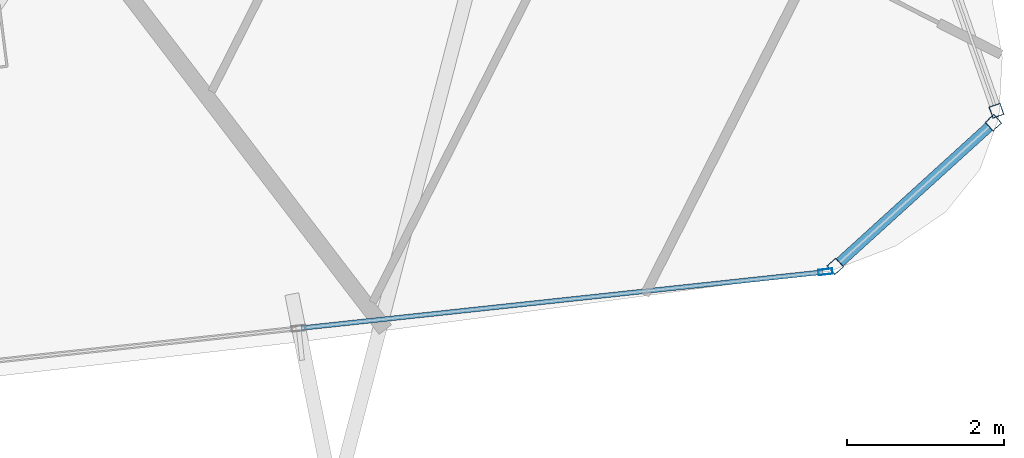
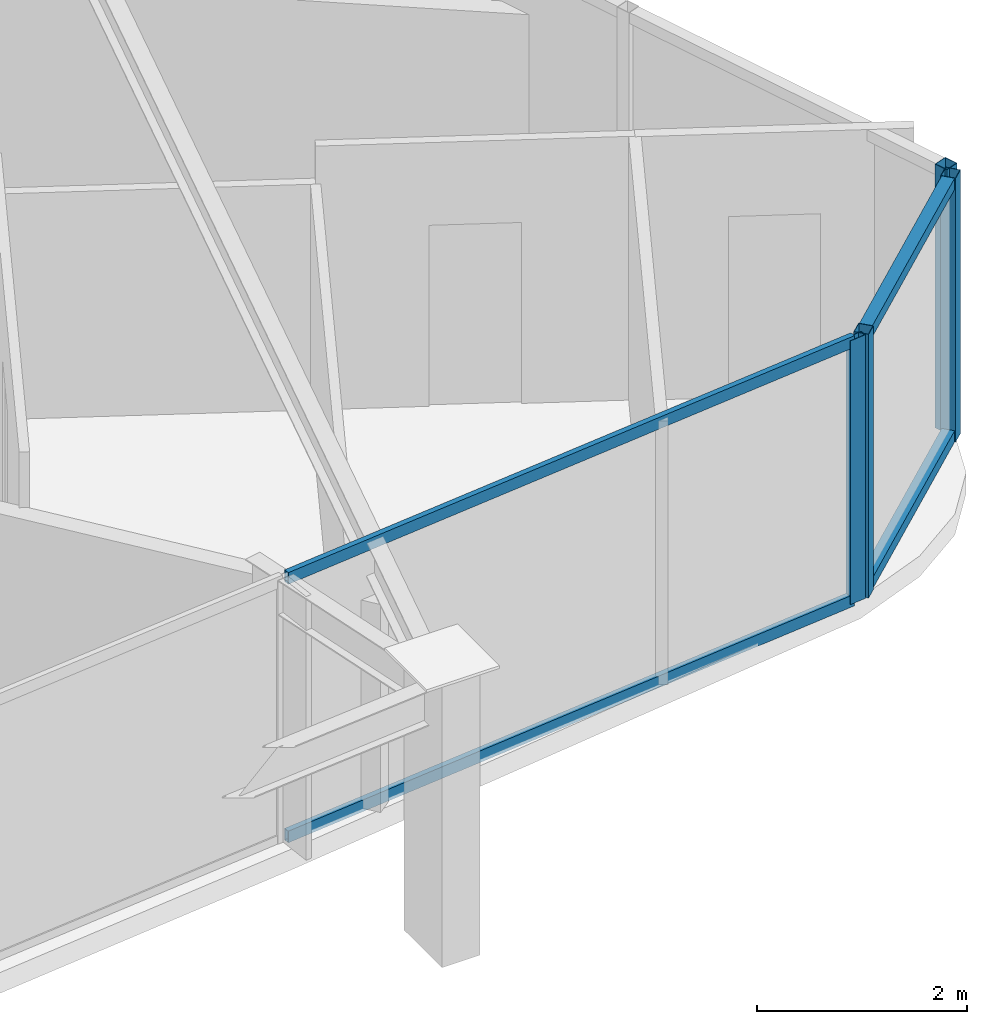
# One storey, part 15 of 35: 8 members, 3 elements without a shape of their own.
"""IFC4 building model written with IfcOpenShell, lengths in metres."""

from ifc_helpers import new_model, si_unit, direction, frame, origin, origin_2d, place, context, subcontext, project, spatial, hollow_rectangle, extrude, material, layer, layer_set, material_profile, profile_set, type_object, element, aggregate, save


model = new_model("IFC4")

# Units and contexts
model_context = context("Model", 3, precision=1e-05, world=origin(), true_north=direction((0.0, 1.0)))
body_context = subcontext(model_context, "Body", "Model", "MODEL_VIEW")
ifc_project = project(units=[si_unit("LENGTHUNIT", "METRE"), si_unit("AREAUNIT", "SQUARE_METRE"), si_unit("VOLUMEUNIT", "CUBIC_METRE"), si_unit("PLANEANGLEUNIT", "RADIAN"), si_unit("MASSUNIT", "GRAM", prefix="KILO")], contexts=[model_context])

# Site, building, storey
site_placement = place(None, origin())
site = spatial("IfcSite", under=ifc_project, at=site_placement, CompositionType="ELEMENT")
building_placement = place(site_placement, origin())
building = spatial("IfcBuilding", under=site, at=building_placement, Name="Orvanel Arch Residences", CompositionType="ELEMENT")
storey_placement = place(building_placement, frame((0.0, 0.0, 30.199951171875)))
storey = spatial("IfcBuildingStorey", under=building, at=storey_placement, Name="L07", CompositionType="ELEMENT", Elevation=30.199951171875)

# Curtain wall, members
ifc_material = material(Name="Bronze-anodised aluminium AA6063-T6", Category="aluminium")
ifc_layer_1 = layer(ifc_material, 0.18994140625)
ifc_layer_set_1 = layer_set([ifc_layer_1], Name="Bronze-anodised aluminium AA6063-T6")
curtain_wall_type_1 = type_object("IfcCurtainWallType", Name="CW5-CRN-SYS", PredefinedType="NOTDEFINED", material=ifc_layer_set_1)
curtain_wall_1_placement = place(storey_placement, origin())
curtain_wall_1 = element("IfcCurtainWall", 1, at=curtain_wall_1_placement, inside=storey, type_object=curtain_wall_type_1, Name="L07 CW5-CRN-SYS Unitised Curtain Wall", PredefinedType="NOTDEFINED")
ifc_material_profile_1 = material_profile(ifc_material, hollow_rectangle(XDim=0.14990234375, YDim=0.14990234375, WallThickness=0.0048828125, at=origin_2d()), Name="ALU150x150x5")
ifc_profile_set_1 = profile_set([ifc_material_profile_1], Name="Bronze-anodised aluminium AA6063-T6")
member_type_1 = type_object("IfcMemberType", Name="MUL-150x150", PredefinedType="MULLION", material=ifc_profile_set_1)
member_1_placement = place(storey_placement, frame((60.047607421875, 3.4384765625, 0.0), z_axis=(0.0, 0.0, 1.0), x_axis=(-0.672446964685, 0.740145309845, 0.0)))
member_1 = element("IfcMember", 2, at=member_1_placement, type_object=member_type_1, Name="CW-S5 mullion 1", PredefinedType="MULLION", context=body_context, shape_type="SweptSolid", body=[
    extrude(hollow_rectangle(XDim=0.14990234375, YDim=0.14990234375, WallThickness=0.0048828125, at=origin_2d()), origin(), (0.0, 0.0, 1.0), 3.06005859375),
])
member_2_placement = place(storey_placement, frame((62.057373046875, 5.2646484375, 0.0), z_axis=(0.0, 0.0, 1.0), x_axis=(-0.672446964685, 0.740145309845, 0.0)))
member_2 = element("IfcMember", 3, at=member_2_placement, type_object=member_type_1, Name="CW-S5 mullion 2", PredefinedType="MULLION", context=body_context, shape_type="SweptSolid", body=[
    extrude(hollow_rectangle(XDim=0.14990234375, YDim=0.14990234375, WallThickness=0.0048828125, at=origin_2d()), origin(), (0.0, 0.0, 1.0), 3.06005859375),
])

# Curtain wall, member
curtain_wall_2_placement = place(storey_placement, origin())
curtain_wall_2 = element("IfcCurtainWall", 4, at=curtain_wall_2_placement, inside=storey, type_object=curtain_wall_type_1, Name="L07 CW5-CRN-SYS Unitised Curtain Wall", PredefinedType="NOTDEFINED")
member_3_placement = place(storey_placement, frame((62.09619140625, 5.417724609375, 0.0), z_axis=(0.0, 0.0, 1.0), x_axis=(-0.943915900726, -0.330185966322, 0.0)))
member_3 = element("IfcMember", 5, at=member_3_placement, type_object=member_type_1, Name="CW-S5 mullion 1", PredefinedType="MULLION", context=body_context, shape_type="SweptSolid", body=[
    extrude(hollow_rectangle(XDim=0.14990234375, YDim=0.14990234375, WallThickness=0.0048828125, at=origin_2d()), origin(), (0.0, 0.0, 1.0), 3.06005859375),
])
aggregate(curtain_wall_2, [member_3])

ifc_layer_2 = layer(ifc_material, 0.179931640625)
ifc_layer_set_2 = layer_set([ifc_layer_2], Name="Bronze-anodised aluminium AA6063-T6")
curtain_wall_type_2 = type_object("IfcCurtainWallType", Name="CW2-LOW-SYS", PredefinedType="NOTDEFINED", material=ifc_layer_set_2)
curtain_wall_3_placement = place(storey_placement, origin())
curtain_wall_3 = element("IfcCurtainWall", 6, at=curtain_wall_3_placement, inside=storey, type_object=curtain_wall_type_2, Name="L07 CW2-LOW-SYS Unitised Curtain Wall", PredefinedType="NOTDEFINED")
ifc_material_profile_2 = material_profile(ifc_material, hollow_rectangle(XDim=0.070068359375, YDim=0.179931640625, WallThickness=0.00439453125, at=origin_2d()), Name="ALU180x70x4.5")
ifc_profile_set_2 = profile_set([ifc_material_profile_2], Name="Bronze-anodised aluminium AA6063-T6")
member_type_2 = type_object("IfcMemberType", Name="MUL-180x70", PredefinedType="MULLION", material=ifc_profile_set_2)
member_4_placement = place(storey_placement, frame((59.922119140625, 3.369384765625, 0.0), z_axis=(0.0, 0.0, 1.0), x_axis=(-0.106701765481, 0.994291070685, 0.0)))
member_4 = element("IfcMember", 7, at=member_4_placement, type_object=member_type_2, Name="CW-S2 mullion 4", PredefinedType="MULLION", context=body_context, shape_type="SweptSolid", body=[
    extrude(hollow_rectangle(XDim=0.070068359375, YDim=0.179931640625, WallThickness=0.00439453125, at=origin_2d()), origin(), (0.0, 0.0, 1.0), 3.06005859375),
])

# Member
ifc_material_profile_3 = material_profile(ifc_material, hollow_rectangle(XDim=0.1298828125, YDim=0.1298828125, WallThickness=0.00439453125, at=origin_2d()), Name="ALU130x130x4.5")
ifc_profile_set_3 = profile_set([ifc_material_profile_3], Name="Bronze-anodised aluminium AA6063-T6")
member_type_3 = type_object("IfcMemberType", Name="TRN-130x130", PredefinedType="USERDEFINED", material=ifc_profile_set_3)
member_5_placement = place(storey_placement, frame((60.10302734375, 3.48876953125, 0.06494140625), z_axis=(0.740125190983, 0.672469108341, 0.0), x_axis=(-0.672469108341, 0.740125190983, 0.0)))
member_5 = element("IfcMember", 8, at=member_5_placement, type_object=member_type_3, Name="CW-S5 transom 1.1", ObjectType="TRANSOM", PredefinedType="USERDEFINED", context=body_context, shape_type="SweptSolid", body=[
    extrude(hollow_rectangle(XDim=0.1298828125, YDim=0.1298828125, WallThickness=0.00439453125, at=origin_2d()), origin(), (0.0, 0.0, 1.0), 2.565673828125),
])

member_6_placement = place(storey_placement, frame((60.10302734375, 3.48876953125, 2.9951171875), z_axis=(0.740125190983, 0.672469108341, 0.0), x_axis=(-0.672469108341, 0.740125190983, 0.0)))
member_6 = element("IfcMember", 9, at=member_6_placement, type_object=member_type_3, Name="CW-S5 transom 1.2", ObjectType="TRANSOM", PredefinedType="USERDEFINED", context=body_context, shape_type="SweptSolid", body=[
    extrude(hollow_rectangle(XDim=0.1298828125, YDim=0.1298828125, WallThickness=0.00439453125, at=origin_2d()), origin(), (0.0, 0.0, 1.0), 2.565673828125),
])

aggregate(curtain_wall_1, [member_1, member_2, member_5, member_6])

ifc_material_profile_4 = material_profile(ifc_material, hollow_rectangle(XDim=0.06005859375, YDim=0.135009765625, WallThickness=0.00390625, at=origin_2d()), Name="ALU135x60x4")
ifc_profile_set_4 = profile_set([ifc_material_profile_4], Name="Bronze-anodised aluminium AA6063-T6")
member_type_4 = type_object("IfcMemberType", Name="TRN-135x60", PredefinedType="USERDEFINED", material=ifc_profile_set_4)
member_7_placement = place(storey_placement, frame((53.2607421875, 2.654296875, 0.030029296875), z_axis=(0.994290430162, 0.106707733967, 0.0), x_axis=(-0.106707733967, 0.994290430162, 0.0)))
member_7 = element("IfcMember", 10, at=member_7_placement, type_object=member_type_4, Name="CW-S2 transom 3.1", ObjectType="TRANSOM", PredefinedType="USERDEFINED", context=body_context, shape_type="SweptSolid", body=[
    extrude(hollow_rectangle(XDim=0.06005859375, YDim=0.135009765625, WallThickness=0.00390625, at=origin_2d()), origin(), (0.0, 0.0, 1.0), 6.664794921875),
])

member_8_placement = place(storey_placement, frame((53.2607421875, 2.654296875, 3.030029296875), z_axis=(0.994290430162, 0.106707733967, 0.0), x_axis=(-0.106707733967, 0.994290430162, 0.0)))
member_8 = element("IfcMember", 11, at=member_8_placement, type_object=member_type_4, Name="CW-S2 transom 3.2", ObjectType="TRANSOM", PredefinedType="USERDEFINED", context=body_context, shape_type="SweptSolid", body=[
    extrude(hollow_rectangle(XDim=0.06005859375, YDim=0.135009765625, WallThickness=0.00390625, at=origin_2d()), origin(), (0.0, 0.0, 1.0), 6.664794921875),
])

aggregate(curtain_wall_3, [member_4, member_7, member_8])

save(model, "model.ifc")
